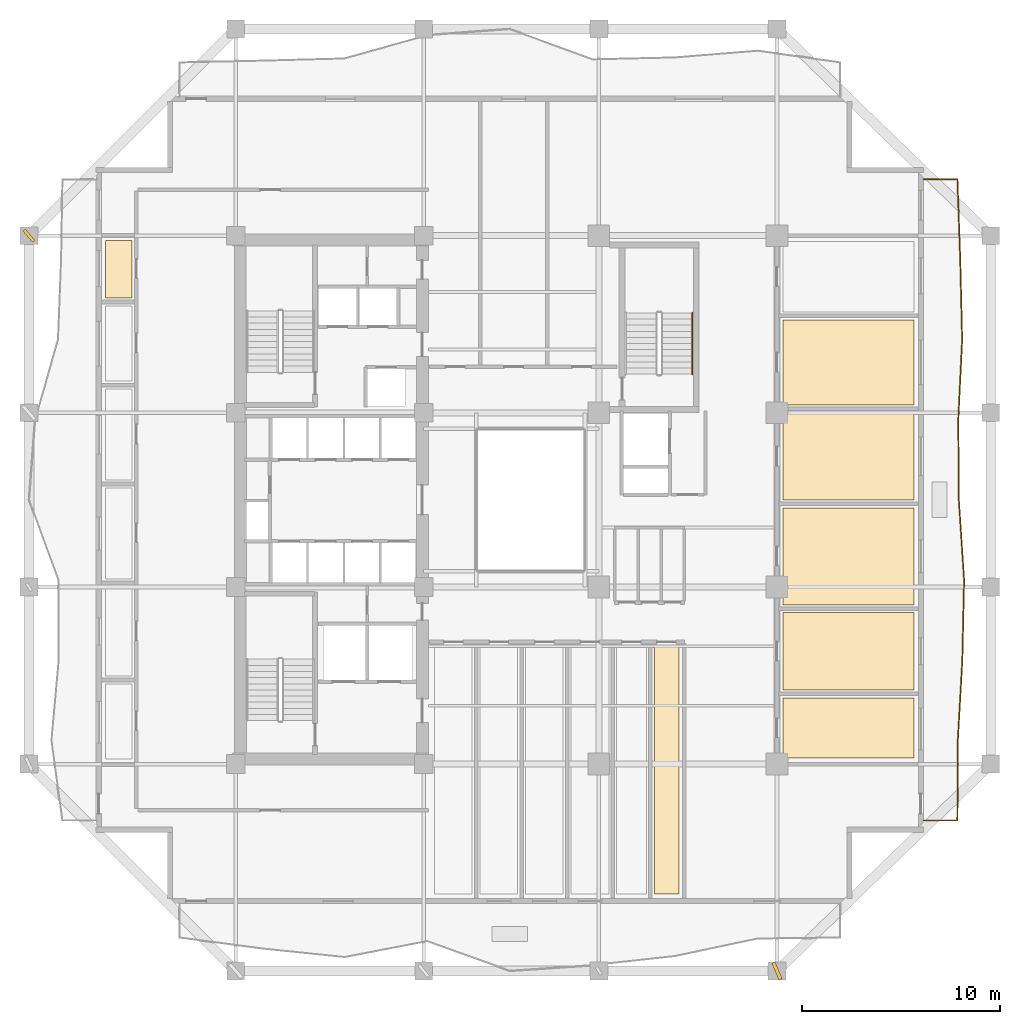
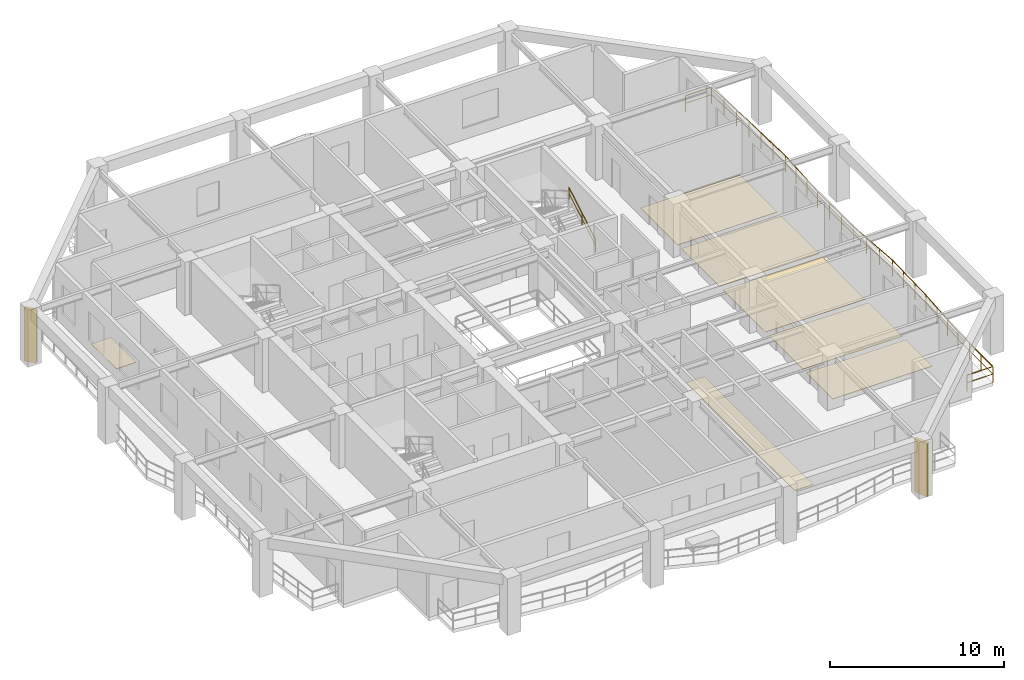
# One storey, part 9 of 11: 7 coverings, 2 railings, 2 shading devices.
"""IFC4 building model written with IfcOpenShell, lengths in metres."""

from ifc_helpers import new_model, si_unit, direction, frame, origin, origin_2d, place, context, subcontext, project, spatial, polyline, rectangle, outline, extrude, material, layer, layer_set, type_object, element, save


model = new_model("IFC4")

# Units and contexts
model_context = context("Model", 3, precision=1e-05, world=origin(), true_north=direction((0.0, 1.0)))
body_context = subcontext(model_context, "Body", "Model", "MODEL_VIEW")
ifc_project = project(units=[si_unit("LENGTHUNIT", "METRE"), si_unit("AREAUNIT", "SQUARE_METRE"), si_unit("VOLUMEUNIT", "CUBIC_METRE"), si_unit("PLANEANGLEUNIT", "RADIAN"), si_unit("MASSUNIT", "GRAM", prefix="KILO")], contexts=[model_context])

# Site, building, storey
site_placement = place(None, origin())
site = spatial("IfcSite", under=ifc_project, at=site_placement, CompositionType="ELEMENT")
building_placement = place(site_placement, origin())
building = spatial("IfcBuilding", under=site, at=building_placement, Name="Kundavana Baori Tower", CompositionType="ELEMENT")
storey_placement = place(building_placement, frame((0.0, 0.0, 82.0)))
storey = spatial("IfcBuildingStorey", under=building, at=storey_placement, Name="L19", CompositionType="ELEMENT", Elevation=82.0)

# Coverings
ifc_material_1 = material(Name="Honed Kota Stone and Terrazzo Flooring", Category="masonry")
ifc_layer = layer(ifc_material_1, 0.030029296875, Name="COV-INT-FLR")
ifc_layer_set = layer_set([ifc_layer], Name="Honed Kota Stone and Terrazzo Flooring")
covering_type = type_object("IfcCoveringType", Name="COV-INT-FLR", PredefinedType="FLOORING", material=ifc_layer_set)
covering_1_placement = place(storey_placement, origin())
element("IfcCovering", 1, at=covering_1_placement, inside=storey, type_object=covering_type, Name="L19 Room Finished Stone Flooring 6", PredefinedType="FLOORING", context=body_context, shape_type="SweptSolid", body=[
    extrude(outline(polyline([(8.8798828125, 38.800048828125), (10.199951171875, 38.800048828125), (10.199951171875, 41.699951171875), (8.8798828125, 41.699951171875), (8.8798828125, 38.800048828125)])), origin(), (0.0, 0.0, 1.0), 0.030029296875),
])
covering_2_placement = place(storey_placement, origin())
element("IfcCovering", 2, at=covering_2_placement, inside=storey, type_object=covering_type, Name="L19 Room Finished Stone Flooring 12", PredefinedType="FLOORING", context=body_context, shape_type="SweptSolid", body=[
    extrude(outline(polyline([(36.60009765625, 8.679931640625), (37.840087890625, 8.679931640625), (37.840087890625, 21.199951171875), (36.60009765625, 21.199951171875), (36.60009765625, 8.679931640625)])), origin(), (0.0, 0.0, 1.0), 0.030029296875),
])
covering_3_placement = place(storey_placement, origin())
element("IfcCovering", 3, at=covering_3_placement, inside=storey, type_object=covering_type, Name="L19 Room Finished Stone Flooring 13", PredefinedType="FLOORING", context=body_context, shape_type="SweptSolid", body=[
    extrude(outline(polyline([(43.10009765625, 15.550048828125), (49.719970703125, 15.550048828125), (49.719970703125, 18.60009765625), (43.10009765625, 18.60009765625), (43.10009765625, 15.550048828125)])), origin(), (0.0, 0.0, 1.0), 0.030029296875),
])
covering_4_placement = place(storey_placement, origin())
element("IfcCovering", 4, at=covering_4_placement, inside=storey, type_object=covering_type, Name="L19 Room Finished Stone Flooring 14", PredefinedType="FLOORING", context=body_context, shape_type="SweptSolid", body=[
    extrude(outline(polyline([(43.10009765625, 19.0), (49.719970703125, 19.0), (49.719970703125, 22.89990234375), (43.10009765625, 22.89990234375), (43.10009765625, 19.0)])), origin(), (0.0, 0.0, 1.0), 0.030029296875),
])
covering_5_placement = place(storey_placement, origin())
element("IfcCovering", 5, at=covering_5_placement, inside=storey, type_object=covering_type, Name="L19 Room Finished Stone Flooring 15", PredefinedType="FLOORING", context=body_context, shape_type="SweptSolid", body=[
    extrude(outline(polyline([(43.10009765625, 23.300048828125), (49.719970703125, 23.300048828125), (49.719970703125, 28.199951171875), (43.10009765625, 28.199951171875), (43.10009765625, 23.300048828125)])), origin(), (0.0, 0.0, 1.0), 0.030029296875),
])
covering_6_placement = place(storey_placement, origin())
element("IfcCovering", 6, at=covering_6_placement, inside=storey, type_object=covering_type, Name="L19 Room Finished Stone Flooring 16", PredefinedType="FLOORING", context=body_context, shape_type="SweptSolid", body=[
    extrude(outline(polyline([(43.10009765625, 28.60009765625), (49.719970703125, 28.60009765625), (49.719970703125, 33.0), (43.10009765625, 33.0), (43.10009765625, 28.60009765625)])), origin(), (0.0, 0.0, 1.0), 0.030029296875),
])
covering_7_placement = place(storey_placement, origin())
element("IfcCovering", 7, at=covering_7_placement, inside=storey, type_object=covering_type, Name="L19 Room Finished Stone Flooring 17", PredefinedType="FLOORING", context=body_context, shape_type="SweptSolid", body=[
    extrude(outline(polyline([(43.10009765625, 33.39990234375), (49.719970703125, 33.39990234375), (49.719970703125, 37.699951171875), (43.10009765625, 37.699951171875), (43.10009765625, 33.39990234375)])), origin(), (0.0, 0.0, 1.0), 0.030029296875),
])

# Railings
ifc_material_2 = material(Name="Architectural Patinated Bronze Metalwork")
railing_type_1 = type_object("IfcRailingType", Name="RL-BAL-1150", PredefinedType="BALUSTRADE", material=ifc_material_2)
railing_1_placement = place(storey_placement, frame((50.199951171875, 44.800048828125, 0.0)))
element("IfcRailing", 8, at=railing_1_placement, inside=storey, type_object=railing_type_1, Name="L19 Loggia Balcony Balustrade E", PredefinedType="BALUSTRADE", context=body_context, shape_type="SweptSolid", body=[
    extrude(rectangle(XDim=0.048095703125, YDim=0.048095703125, at=origin_2d()), frame((0.0, 0.0, 1.1259765625), z_axis=(1.0, 0.0, 0.0), x_axis=(0.0, 1.0, 0.0)), (0.0, 0.0, 1.0), 1.719970703125),
    extrude(rectangle(XDim=0.03125, YDim=0.03125, at=origin_2d()), frame((0.0, 0.0, 0.597900390625), z_axis=(1.0, 0.0, 0.0), x_axis=(0.0, 1.0, 0.0)), (0.0, 0.0, 1.0), 1.719970703125),
    extrude(rectangle(XDim=0.048095703125, YDim=0.048095703125, at=origin_2d()), frame((1.719970703125, 0.0, 1.1259765625), z_axis=(0.035543263715, -0.999368138578, 0.0), x_axis=(0.999368138578, 0.035543263715, 0.0)), (0.0, 0.0, 1.0), 4.052490234375),
    extrude(rectangle(XDim=0.03125, YDim=0.03125, at=origin_2d()), frame((1.719970703125, 0.0, 0.597900390625), z_axis=(0.035543263715, -0.999368138578, 0.0), x_axis=(0.999368138578, 0.035543263715, 0.0)), (0.0, 0.0, 1.0), 4.052490234375),
    extrude(rectangle(XDim=0.048095703125, YDim=0.048095703125, at=origin_2d()), frame((1.864013671875, -4.050048828125, 1.1259765625), z_axis=(0.023924670827, -0.999713764097, 0.0), x_axis=(0.999713764097, 0.023924670827, 0.0)), (0.0, 0.0, 1.0), 4.05126953125),
    extrude(rectangle(XDim=0.03125, YDim=0.03125, at=origin_2d()), frame((1.864013671875, -4.050048828125, 0.597900390625), z_axis=(0.023924670827, -0.999713764097, 0.0), x_axis=(0.999713764097, 0.023924670827, 0.0)), (0.0, 0.0, 1.0), 4.05126953125),
    extrude(rectangle(XDim=0.048095703125, YDim=0.048095703125, at=origin_2d()), frame((1.9609375, -8.10009765625, 1.1259765625), z_axis=(-0.048529166514, -0.998821765881, 0.0), x_axis=(0.998821765881, -0.048529166514, 0.0)), (0.0, 0.0, 1.0), 4.054931640625),
    extrude(rectangle(XDim=0.03125, YDim=0.03125, at=origin_2d()), frame((1.9609375, -8.10009765625, 0.597900390625), z_axis=(-0.048529166514, -0.998821765881, 0.0), x_axis=(0.998821765881, -0.048529166514, 0.0)), (0.0, 0.0, 1.0), 4.054931640625),
    extrude(rectangle(XDim=0.048095703125, YDim=0.048095703125, at=origin_2d()), frame((1.76416015625, -12.150146484375, 1.1259765625), z_axis=(0.007113396102, -0.999974699478, 0.0), x_axis=(0.999974699478, 0.007113396102, 0.0)), (0.0, 0.0, 1.0), 4.0498046875),
    extrude(rectangle(XDim=0.03125, YDim=0.03125, at=origin_2d()), frame((1.76416015625, -12.150146484375, 0.597900390625), z_axis=(0.007113396102, -0.999974699478, 0.0), x_axis=(0.999974699478, 0.007113396102, 0.0)), (0.0, 0.0, 1.0), 4.0498046875),
    extrude(rectangle(XDim=0.048095703125, YDim=0.048095703125, at=origin_2d()), frame((1.79296875, -16.199951171875, 1.1259765625), z_axis=(0.065564811683, -0.997848312856, 0.0), x_axis=(0.997848312856, 0.065564811683, 0.0)), (0.0, 0.0, 1.0), 4.058837890625),
    extrude(rectangle(XDim=0.03125, YDim=0.03125, at=origin_2d()), frame((1.79296875, -16.199951171875, 0.597900390625), z_axis=(0.065564811683, -0.997848312856, 0.0), x_axis=(0.997848312856, 0.065564811683, 0.0)), (0.0, 0.0, 1.0), 4.058837890625),
    extrude(rectangle(XDim=0.048095703125, YDim=0.048095703125, at=origin_2d()), frame((2.05908203125, -20.25, 1.1259765625), z_axis=(-0.022238154615, -0.999752701661, 0.0), x_axis=(0.999752701661, -0.022238154615, 0.0)), (0.0, 0.0, 1.0), 4.051025390625),
    extrude(rectangle(XDim=0.03125, YDim=0.03125, at=origin_2d()), frame((2.05908203125, -20.25, 0.597900390625), z_axis=(-0.022238154615, -0.999752701661, 0.0), x_axis=(0.999752701661, -0.022238154615, 0.0)), (0.0, 0.0, 1.0), 4.051025390625),
    extrude(rectangle(XDim=0.048095703125, YDim=0.048095703125, at=origin_2d()), frame((1.968994140625, -24.300048828125, 1.1259765625), z_axis=(-0.055973356104, -0.998432262803, 0.0), x_axis=(0.998432262803, -0.055973356104, 0.0)), (0.0, 0.0, 1.0), 4.056396484375),
    extrude(rectangle(XDim=0.03125, YDim=0.03125, at=origin_2d()), frame((1.968994140625, -24.300048828125, 0.597900390625), z_axis=(-0.055973356104, -0.998432262803, 0.0), x_axis=(0.998432262803, -0.055973356104, 0.0)), (0.0, 0.0, 1.0), 4.056396484375),
    extrude(rectangle(XDim=0.048095703125, YDim=0.048095703125, at=origin_2d()), frame((1.741943359375, -28.35009765625, 1.1259765625), z_axis=(-0.005425201972, -0.999985283483, 0.0), x_axis=(0.999985283483, -0.005425201972, 0.0)), (0.0, 0.0, 1.0), 4.050048828125),
    extrude(rectangle(XDim=0.03125, YDim=0.03125, at=origin_2d()), frame((1.741943359375, -28.35009765625, 0.597900390625), z_axis=(-0.005425201972, -0.999985283483, 0.0), x_axis=(0.999985283483, -0.005425201972, 0.0)), (0.0, 0.0, 1.0), 4.050048828125),
    extrude(rectangle(XDim=0.048095703125, YDim=0.048095703125, at=origin_2d()), frame((1.719970703125, -32.400146484375, 1.1259765625), z_axis=(-1.0, 0.0, 0.0), x_axis=(0.0, -1.0, 0.0)), (0.0, 0.0, 1.0), 1.719970703125),
    extrude(rectangle(XDim=0.03125, YDim=0.03125, at=origin_2d()), frame((1.719970703125, -32.400146484375, 0.597900390625), z_axis=(-1.0, 0.0, 0.0), x_axis=(0.0, -1.0, 0.0)), (0.0, 0.0, 1.0), 1.719970703125),
    extrude(rectangle(XDim=0.0419921875, YDim=0.0419921875, at=origin_2d()), origin(), (0.0, 0.0, 1.0), 1.101806640625),
    extrude(rectangle(XDim=0.0419921875, YDim=0.0419921875, at=origin_2d()), frame((1.719970703125, 0.0, 0.0)), (0.0, 0.0, 1.0), 1.101806640625),
    extrude(rectangle(XDim=0.0419921875, YDim=0.0419921875, at=origin_2d()), frame((1.76806640625, -1.35009765625, 0.0)), (0.0, 0.0, 1.0), 1.101806640625),
    extrude(rectangle(XDim=0.0419921875, YDim=0.0419921875, at=origin_2d()), frame((1.81591796875, -2.699951171875, 0.0)), (0.0, 0.0, 1.0), 1.101806640625),
    extrude(rectangle(XDim=0.0419921875, YDim=0.0419921875, at=origin_2d()), frame((1.864013671875, -4.050048828125, 0.0)), (0.0, 0.0, 1.0), 1.101806640625),
    extrude(rectangle(XDim=0.0419921875, YDim=0.0419921875, at=origin_2d()), frame((1.896240234375, -5.400146484375, 0.0)), (0.0, 0.0, 1.0), 1.101806640625),
    extrude(rectangle(XDim=0.0419921875, YDim=0.0419921875, at=origin_2d()), frame((1.9287109375, -6.75, 0.0)), (0.0, 0.0, 1.0), 1.101806640625),
    extrude(rectangle(XDim=0.0419921875, YDim=0.0419921875, at=origin_2d()), frame((1.9609375, -8.10009765625, 0.0)), (0.0, 0.0, 1.0), 1.101806640625),
    extrude(rectangle(XDim=0.0419921875, YDim=0.0419921875, at=origin_2d()), frame((1.895263671875, -9.4501953125, 0.0)), (0.0, 0.0, 1.0), 1.101806640625),
    extrude(rectangle(XDim=0.0419921875, YDim=0.0419921875, at=origin_2d()), frame((1.829833984375, -10.800048828125, 0.0)), (0.0, 0.0, 1.0), 1.101806640625),
    extrude(rectangle(XDim=0.0419921875, YDim=0.0419921875, at=origin_2d()), frame((1.76416015625, -12.150146484375, 0.0)), (0.0, 0.0, 1.0), 1.101806640625),
    extrude(rectangle(XDim=0.0419921875, YDim=0.0419921875, at=origin_2d()), frame((1.773681640625, -13.5, 0.0)), (0.0, 0.0, 1.0), 1.101806640625),
    extrude(rectangle(XDim=0.0419921875, YDim=0.0419921875, at=origin_2d()), frame((1.783447265625, -14.85009765625, 0.0)), (0.0, 0.0, 1.0), 1.101806640625),
    extrude(rectangle(XDim=0.0419921875, YDim=0.0419921875, at=origin_2d()), frame((1.79296875, -16.199951171875, 0.0)), (0.0, 0.0, 1.0), 1.101806640625),
    extrude(rectangle(XDim=0.0419921875, YDim=0.0419921875, at=origin_2d()), frame((1.881591796875, -17.550048828125, 0.0)), (0.0, 0.0, 1.0), 1.101806640625),
    extrude(rectangle(XDim=0.0419921875, YDim=0.0419921875, at=origin_2d()), frame((1.970458984375, -18.89990234375, 0.0)), (0.0, 0.0, 1.0), 1.101806640625),
    extrude(rectangle(XDim=0.0419921875, YDim=0.0419921875, at=origin_2d()), frame((2.05908203125, -20.25, 0.0)), (0.0, 0.0, 1.0), 1.101806640625),
    extrude(rectangle(XDim=0.0419921875, YDim=0.0419921875, at=origin_2d()), frame((2.029052734375, -21.60009765625, 0.0)), (0.0, 0.0, 1.0), 1.101806640625),
    extrude(rectangle(XDim=0.0419921875, YDim=0.0419921875, at=origin_2d()), frame((1.9990234375, -22.949951171875, 0.0)), (0.0, 0.0, 1.0), 1.101806640625),
    extrude(rectangle(XDim=0.0419921875, YDim=0.0419921875, at=origin_2d()), frame((1.968994140625, -24.300048828125, 0.0)), (0.0, 0.0, 1.0), 1.101806640625),
    extrude(rectangle(XDim=0.0419921875, YDim=0.0419921875, at=origin_2d()), frame((1.893310546875, -25.650146484375, 0.0)), (0.0, 0.0, 1.0), 1.101806640625),
    extrude(rectangle(XDim=0.0419921875, YDim=0.0419921875, at=origin_2d()), frame((1.817626953125, -27.0, 0.0)), (0.0, 0.0, 1.0), 1.101806640625),
    extrude(rectangle(XDim=0.0419921875, YDim=0.0419921875, at=origin_2d()), frame((1.741943359375, -28.35009765625, 0.0)), (0.0, 0.0, 1.0), 1.101806640625),
    extrude(rectangle(XDim=0.0419921875, YDim=0.0419921875, at=origin_2d()), frame((1.734619140625, -29.7001953125, 0.0)), (0.0, 0.0, 1.0), 1.101806640625),
    extrude(rectangle(XDim=0.0419921875, YDim=0.0419921875, at=origin_2d()), frame((1.727294921875, -31.050048828125, 0.0)), (0.0, 0.0, 1.0), 1.101806640625),
    extrude(rectangle(XDim=0.0419921875, YDim=0.0419921875, at=origin_2d()), frame((1.719970703125, -32.400146484375, 0.0)), (0.0, 0.0, 1.0), 1.101806640625),
    extrude(rectangle(XDim=0.0419921875, YDim=0.0419921875, at=origin_2d()), frame((0.0, -32.400146484375, 0.0)), (0.0, 0.0, 1.0), 1.101806640625),
])
ifc_material_3 = material(Name="Architectural Patinated Bronze Metalwork")
railing_type_2 = type_object("IfcRailingType", Name="RL-HND-920", PredefinedType="HANDRAIL", material=ifc_material_3)
railing_2_placement = place(storey_placement, frame((38.530029296875, 34.949951171875, 0.181884765625)))
element("IfcRailing", 9, at=railing_2_placement, inside=storey, type_object=railing_type_2, Name="L19 ST3 stair handrail 1", PredefinedType="HANDRAIL", context=body_context, shape_type="SweptSolid", body=[
    extrude(rectangle(XDim=0.048095703125, YDim=0.048095703125, at=origin_2d()), frame((0.0, 0.0, 0.8759765625), z_axis=(0.0, 0.862598821094, 0.505888598258), x_axis=(-1.0, 0.0, 0.0)), (0.0, 0.0, 1.0), 3.593994140625),
    extrude(rectangle(XDim=0.03125, YDim=0.03125, at=origin_2d()), frame((0.0, 0.0, 0.468017578125), z_axis=(0.0, 0.862598821094, 0.505888598258), x_axis=(-1.0, 0.0, 0.0)), (0.0, 0.0, 1.0), 3.593994140625),
    extrude(rectangle(XDim=0.0419921875, YDim=0.0419921875, at=origin_2d()), origin(), (0.0, 0.0, 1.0), 0.851806640625),
    extrude(rectangle(XDim=0.0419921875, YDim=0.0419921875, at=origin_2d()), frame((0.0, 1.550048828125, 0.9091796875)), (0.0, 0.0, 1.0), 0.851806640625),
    extrude(rectangle(XDim=0.0419921875, YDim=0.0419921875, at=origin_2d()), frame((0.0, 3.10009765625, 1.818115234375)), (0.0, 0.0, 1.0), 0.851806640625),
])

# Shading devices
ifc_material_4 = material(Name="Red-Buff Dholpur Sandstone Cladding on Concrete C40/50", Category="masonry")
shading_device_type_1 = type_object("IfcShadingDeviceType", Name="SHD-FIN-750", PredefinedType="JALOUSIE", material=ifc_material_4)
shading_device_1_placement = place(storey_placement, frame((5.0, 41.949951171875, 0.0), z_axis=(0.0, 0.0, 1.0), x_axis=(0.758020512009, 0.652230713301, 0.0)))
element("IfcShadingDevice", 10, at=shading_device_1_placement, inside=storey, type_object=shading_device_type_1, Name="L19 Sweeping Dholpur Sandstone Facade Fin 8", PredefinedType="JALOUSIE", context=body_context, shape_type="SweptSolid", body=[
    extrude(rectangle(XDim=0.159912109375, YDim=0.75, at=origin_2d()), origin(), (0.0, 0.0, 1.0), 3.739990234375),
])
ifc_material_5 = material(Name="Red-Buff Dholpur Sandstone Cladding on Concrete C40/50", Category="masonry")
shading_device_type_2 = type_object("IfcShadingDeviceType", Name="SHD-FIN-920", PredefinedType="JALOUSIE", material=ifc_material_5)
shading_device_2_placement = place(storey_placement, frame((42.800048828125, 4.800048828125, 0.0), z_axis=(0.0, 0.0, 1.0), x_axis=(0.923277275238, 0.384134186228, 0.0)))
element("IfcShadingDevice", 11, at=shading_device_2_placement, inside=storey, type_object=shading_device_type_2, Name="L19 Sweeping Dholpur Sandstone Facade Fin 4", PredefinedType="JALOUSIE", context=body_context, shape_type="SweptSolid", body=[
    extrude(rectangle(XDim=0.179931640625, YDim=0.919921875, at=origin_2d()), origin(), (0.0, 0.0, 1.0), 3.739990234375),
])

save(model, "model.ifc")
